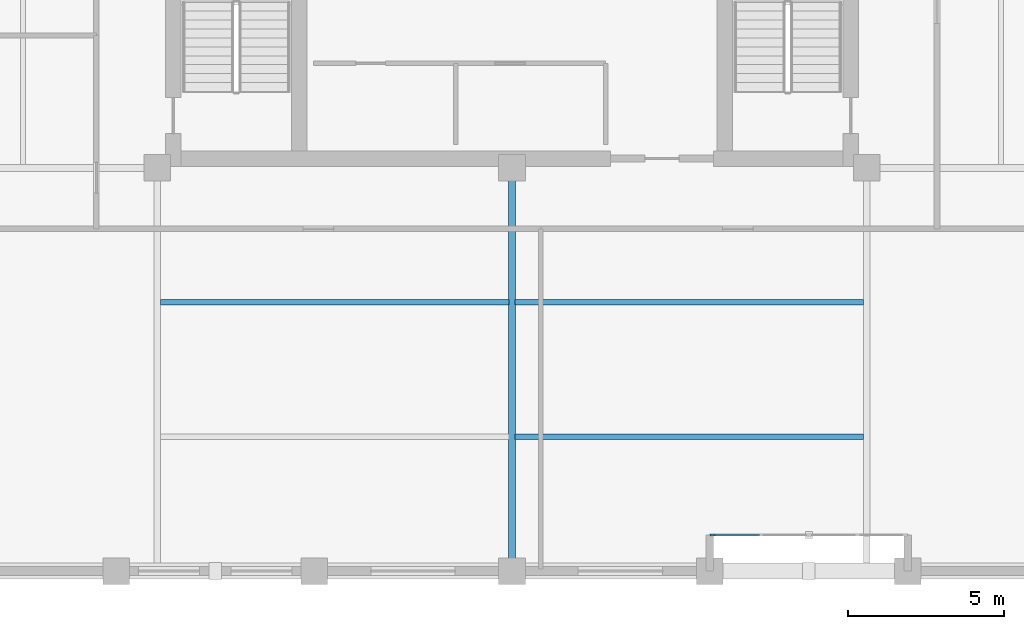
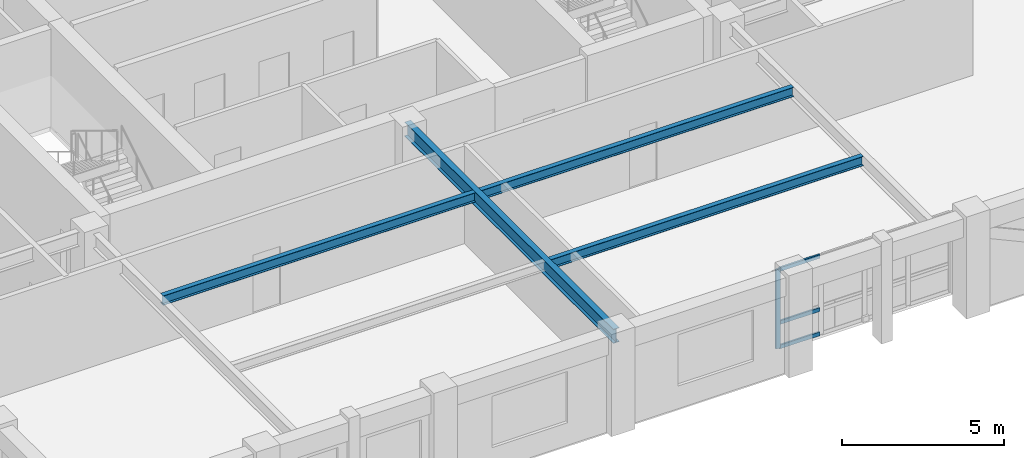
# One storey, part 2 of 13: 4 beams, 4 members, 1 element without a shape of its own.
"""IFC4 building model written with IfcOpenShell, lengths in metres."""

from ifc_helpers import new_model, si_unit, direction, frame, origin, origin_2d, place, context, subcontext, project, spatial, rectangle, i_section, extrude, material, layer, layer_set, material_profile, profile_set, type_object, element, aggregate, save


model = new_model("IFC4")

# Units and contexts
model_context = context("Model", 3, precision=1e-05, world=origin(), true_north=direction((0.0, 1.0)))
body_context = subcontext(model_context, "Body", "Model", "MODEL_VIEW")
ifc_project = project(units=[si_unit("LENGTHUNIT", "METRE"), si_unit("AREAUNIT", "SQUARE_METRE"), si_unit("VOLUMEUNIT", "CUBIC_METRE"), si_unit("PLANEANGLEUNIT", "RADIAN"), si_unit("MASSUNIT", "GRAM", prefix="KILO")], contexts=[model_context])

# Site, building, storey
site_placement = place(None, origin())
site = spatial("IfcSite", under=ifc_project, at=site_placement, CompositionType="ELEMENT")
building_placement = place(site_placement, origin())
building = spatial("IfcBuilding", under=site, at=building_placement, Name="Nhamokura Convention Tower", CompositionType="ELEMENT")
storey_placement = place(building_placement, frame((0.0, 0.0, 213.85009765625)))
storey = spatial("IfcBuildingStorey", under=building, at=storey_placement, Name="L52", CompositionType="ELEMENT", Elevation=213.85009765625)

# Curtain wall, members
ifc_material_1 = material(Name="Anodised bronze aluminium AA6063-T6", Category="aluminium")
ifc_layer = layer(ifc_material_1, 0.155029296875)
ifc_layer_set = layer_set([ifc_layer], Name="CWSystem_ScaleSlot_Zone3")
curtain_wall_type = type_object("IfcCurtainWallType", Name="CWSystem_ScaleSlot_Zone3", PredefinedType="NOTDEFINED", material=ifc_layer_set)
curtain_wall_placement = place(storey_placement, origin())
curtain_wall = element("IfcCurtainWall", 1, at=curtain_wall_placement, inside=storey, type_object=curtain_wall_type, Name="L52 Curtain Wall ENV-L52-SLOT-S4", PredefinedType="NOTDEFINED")
ifc_material_2 = material(Name="Anodised bronze aluminium AA6063-T6", Category="aluminium")
ifc_material_profile_1 = material_profile(ifc_material_2, rectangle(XDim=0.06494140625, YDim=0.1650390625, at=origin_2d()))
ifc_profile_set_1 = profile_set([ifc_material_profile_1], Name="Anodised bronze aluminium AA6063-T6")
member_type_1 = type_object("IfcMemberType", Name="CWMullion_3", PredefinedType="MULLION", material=ifc_profile_set_1)
member_1_placement = place(storey_placement, frame((38.42578125, 8.89990234375, 0.0), z_axis=(0.0, 0.0, 1.0), x_axis=(0.0, -1.0, 0.0)))
member_1 = element("IfcMember", 2, at=member_1_placement, type_object=member_type_1, Name="CW-05 mullion 5", PredefinedType="MULLION", context=body_context, shape_type="SweptSolid", body=[
    extrude(rectangle(XDim=0.06494140625, YDim=0.1650390625, at=origin_2d()), origin(), (0.0, 0.0, 1.0), 2.98486328125),
])
ifc_material_3 = material(Name="Anodised bronze aluminium AA6063-T6", Category="aluminium")
ifc_material_profile_2 = material_profile(ifc_material_3, rectangle(XDim=0.06494140625, YDim=0.139892578125, at=origin_2d()))
ifc_profile_set_2 = profile_set([ifc_material_profile_2], Name="Anodised bronze aluminium AA6063-T6")
member_type_2 = type_object("IfcMemberType", Name="CWTransom_3", PredefinedType="USERDEFINED", material=ifc_profile_set_2)
member_2_placement = place(storey_placement, frame((39.9140625, 8.89990234375, 0.032470703125), z_axis=(-1.0, 0.0, 0.0), x_axis=(0.0, -1.0, 0.0)))
member_2 = element("IfcMember", 3, at=member_2_placement, type_object=member_type_2, Name="CW-05 transom 4.1", ObjectType="TRANSOM", PredefinedType="USERDEFINED", context=body_context, shape_type="SweptSolid", body=[
    extrude(rectangle(XDim=0.06494140625, YDim=0.139892578125, at=origin_2d()), origin(), (0.0, 0.0, 1.0), 1.455810546875),
])
member_3_placement = place(storey_placement, frame((39.9140625, 8.89990234375, 0.949951171875), z_axis=(-1.0, 0.0, 0.0), x_axis=(0.0, -1.0, 0.0)))
member_3 = element("IfcMember", 4, at=member_3_placement, type_object=member_type_2, Name="CW-05 transom 4.2", ObjectType="TRANSOM", PredefinedType="USERDEFINED", context=body_context, shape_type="SweptSolid", body=[
    extrude(rectangle(XDim=0.06494140625, YDim=0.139892578125, at=origin_2d()), origin(), (0.0, 0.0, 1.0), 1.455810546875),
])
member_4_placement = place(storey_placement, frame((39.9140625, 8.89990234375, 2.952392578125), z_axis=(-1.0, 0.0, 0.0), x_axis=(0.0, -1.0, 0.0)))
member_4 = element("IfcMember", 5, at=member_4_placement, type_object=member_type_2, Name="CW-05 transom 4.3", ObjectType="TRANSOM", PredefinedType="USERDEFINED", context=body_context, shape_type="SweptSolid", body=[
    extrude(rectangle(XDim=0.06494140625, YDim=0.139892578125, at=origin_2d()), origin(), (0.0, 0.0, 1.0), 1.455810546875),
])
aggregate(curtain_wall, [member_1, member_2, member_3, member_4])

# Beams
ifc_material_4 = material(Name="Steel ASTM A992 Gr 50", Category="steel")
ifc_material_profile_3 = material_profile(ifc_material_4, i_section(OverallWidth=0.172119140625, OverallDepth=0.35791015625, WebThickness=0.0078125, FlangeThickness=0.01318359375, at=origin_2d()))
ifc_profile_set_3 = profile_set([ifc_material_profile_3], Name="Steel ASTM A992 Gr 50")
beam_type_1 = type_object("IfcBeamType", Name="FloorJoist_W360X57", PredefinedType="JOIST", material=ifc_profile_set_3)
for number, where, z_axis, x_axis, name in (
    (6, (32.103515625, 12.050048828125, 3.505859375), (1.0, 0.0, 0.0), (0.0, 1.0, 0.0), "L52 Composite Floor Joist S1B"),
    (7, (20.75341796875, 16.35009765625, 3.505859375), (1.0, 0.0, 0.0), (0.0, 1.0, 0.0), "L52 Composite Floor Joist S2A"),
    (8, (32.103515625, 16.35009765625, 3.505859375), (1.0, 0.0, 0.0), (0.0, 1.0, 0.0), "L52 Composite Floor Joist S2B"),
):
    element("IfcBeam", number, at=place(storey_placement, frame(where, z_axis=z_axis, x_axis=x_axis)), inside=storey, type_object=beam_type_1, Name=name, PredefinedType="JOIST", context=body_context, shape_type="SweptSolid", body=[
        extrude(i_section(OverallWidth=0.172119140625, OverallDepth=0.35791015625, WebThickness=0.0078125, FlangeThickness=0.01318359375, at=origin_2d()), origin(), (0.0, 0.0, 1.0), 11.14306640625),
    ])
ifc_material_5 = material(Name="Steel ASTM A992 Gr 50", Category="steel")
ifc_material_profile_4 = material_profile(ifc_material_5, i_section(OverallWidth=0.2109375, OverallDepth=0.5390625, WebThickness=0.01171875, FlangeThickness=0.018798828125, at=origin_2d()))
ifc_profile_set_4 = profile_set([ifc_material_profile_4], Name="Steel ASTM A992 Gr 50")
beam_type_2 = type_object("IfcBeamType", Name="PrimaryGirder_W530X109", PredefinedType="BEAM", material=ifc_profile_set_4)
beam_placement = place(storey_placement, frame((32.0, 7.75, 3.415283203125), z_axis=(0.0, 1.0, 0.0), x_axis=(-1.0, 0.0, 0.0)))
element("IfcBeam", 9, at=beam_placement, inside=storey, type_object=beam_type_2, Name="L52 Primary Floor Girder PG-S2", PredefinedType="BEAM", context=body_context, shape_type="SweptSolid", body=[
    extrude(i_section(OverallWidth=0.2109375, OverallDepth=0.5390625, WebThickness=0.01171875, FlangeThickness=0.018798828125, at=origin_2d()), origin(), (0.0, 0.0, 1.0), 12.89990234375),
])

save(model, "model.ifc")
